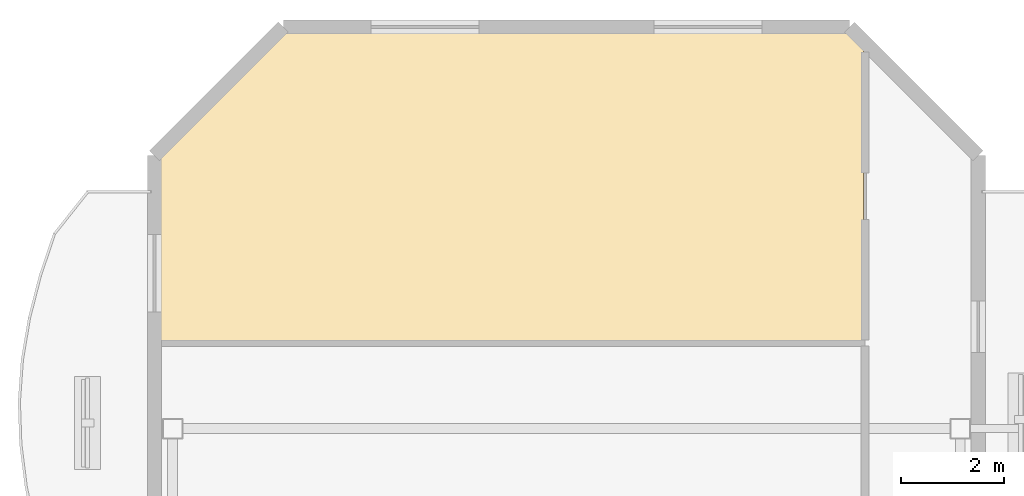
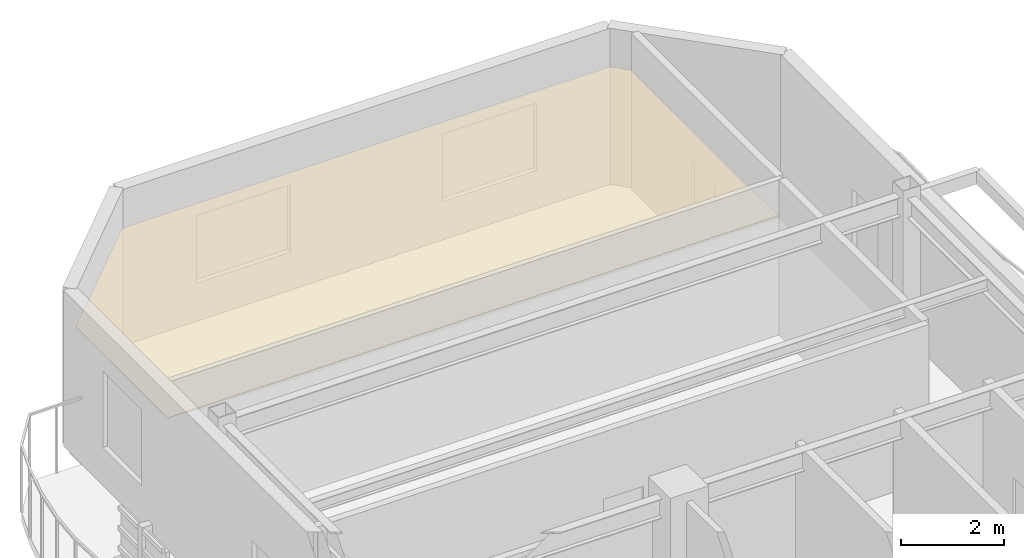
# One storey, part 8 of 8: 1 covering.
"""IFC4 building model written with IfcOpenShell, lengths in metres."""

from ifc_helpers import new_model, si_unit, direction, frame, origin, place, context, subcontext, project, spatial, polyline, outline, extrude, material, layer, layer_set, type_object, element, save


model = new_model("IFC4")

# Units and contexts
model_context = context("Model", 3, precision=1e-05, world=origin(), true_north=direction((0.0, 1.0)))
body_context = subcontext(model_context, "Body", "Model", "MODEL_VIEW")
ifc_project = project(units=[si_unit("LENGTHUNIT", "METRE"), si_unit("AREAUNIT", "SQUARE_METRE"), si_unit("VOLUMEUNIT", "CUBIC_METRE"), si_unit("PLANEANGLEUNIT", "RADIAN"), si_unit("MASSUNIT", "GRAM", prefix="KILO")], contexts=[model_context])

# Site, building, storey
site_placement = place(None, origin())
site = spatial("IfcSite", under=ifc_project, at=site_placement, CompositionType="ELEMENT")
building_placement = place(site_placement, origin())
building = spatial("IfcBuilding", under=site, at=building_placement, Name="Mawjaban Terraces University", CompositionType="ELEMENT")
storey_placement = place(building_placement, frame((0.0, 0.0, 267.699951171875)))
storey = spatial("IfcBuildingStorey", under=building, at=storey_placement, Name="L65", CompositionType="ELEMENT", Elevation=267.699951171875)

# Covering
ifc_material = material(Name="Acoustic mineral fibre ceiling tile", Category="masonry")
ifc_layer = layer(ifc_material, 0.02001953125)
ifc_layer_set = layer_set([ifc_layer], Name="Acoustic mineral fibre ceiling tile")
covering_type = type_object("IfcCoveringType", Name="AcousticMineralCeiling_20", PredefinedType="CEILING", material=ifc_layer_set)
covering_placement = place(storey_placement, frame((0.0, 0.0, 2.75)))
element("IfcCovering", 1, at=covering_placement, inside=storey, type_object=covering_type, Name="L65 Faculty Office 11 Acoustic Ceiling", PredefinedType="CEILING", context=body_context, shape_type="SweptSolid", body=[
    extrude(outline(polyline([(35.77001953125, 37.367919921875), (35.452880859375, 37.68505859375), (24.547119140625, 37.68505859375), (22.114990234375, 35.2529296875), (22.114990234375, 31.694091796875), (35.77001953125, 31.694091796875), (35.77001953125, 37.367919921875)])), origin(), (0.0, 0.0, 1.0), 0.02001953125),
])

save(model, "model.ifc")
